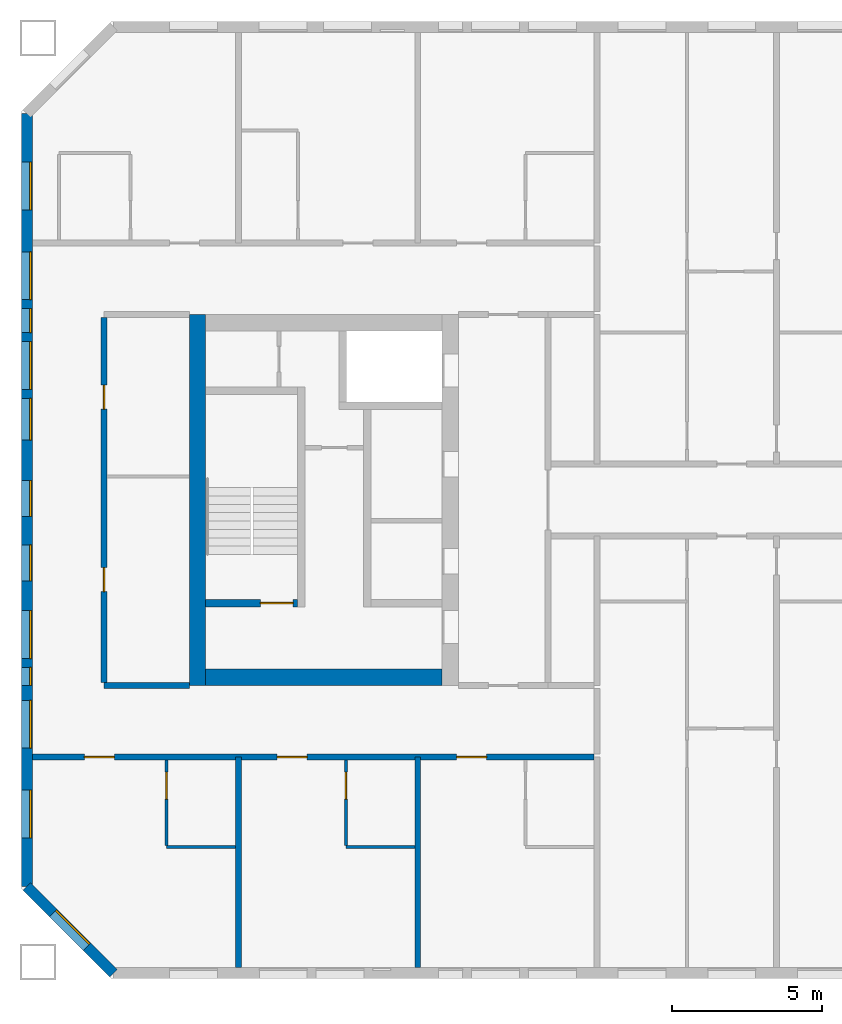
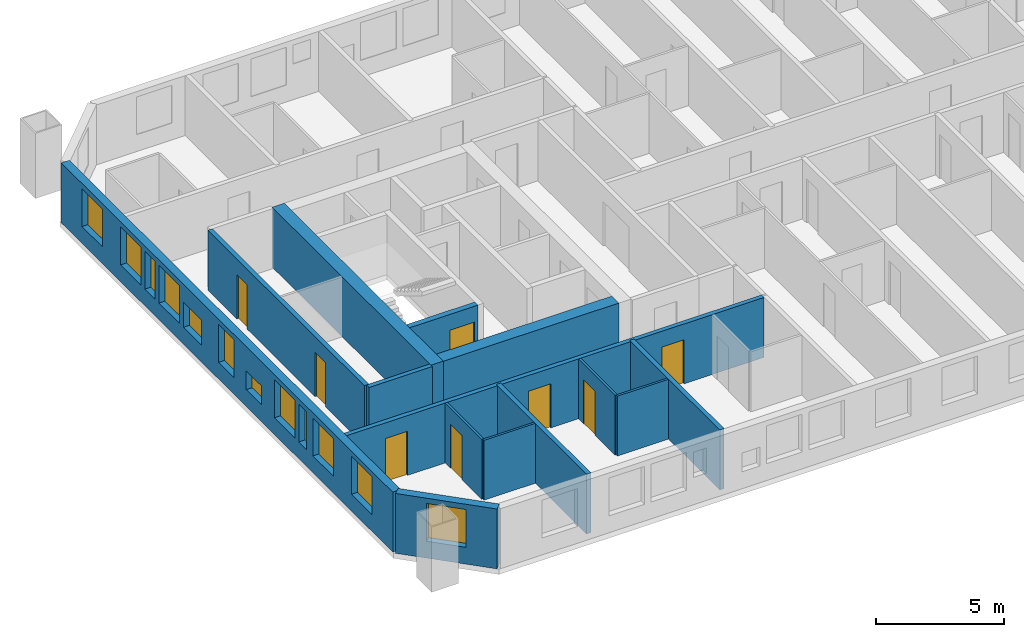
# One storey, part 2 of 16: 14 walls, 12 windows, 8 doors, 20 openings.
"""IFC4 building model written with IfcOpenShell, lengths in metres."""

from ifc_helpers import new_model, si_unit, direction, frame, frame_2d, origin, place, context, subcontext, project, spatial, rectangle, extrude, material, layer, layer_set, type_object, element, fill, save


model = new_model("IFC4")

# Units and contexts
model_context = context("Model", 3, precision=1e-05, world=origin(), true_north=direction((0.0, 1.0)))
body_context = subcontext(model_context, "Body", "Model", "MODEL_VIEW")
ifc_project = project(units=[si_unit("LENGTHUNIT", "METRE"), si_unit("AREAUNIT", "SQUARE_METRE"), si_unit("VOLUMEUNIT", "CUBIC_METRE"), si_unit("PLANEANGLEUNIT", "RADIAN"), si_unit("MASSUNIT", "GRAM", prefix="KILO")], contexts=[model_context])

# Site, building, storey
site_placement = place(None, origin())
site = spatial("IfcSite", under=ifc_project, at=site_placement, CompositionType="ELEMENT")
building_placement = place(site_placement, origin())
building = spatial("IfcBuilding", under=site, at=building_placement, Name="Tuart Gate Housing", CompositionType="ELEMENT")
storey_placement = place(building_placement, frame((0.0, 0.0, 129.89990234375)))
storey = spatial("IfcBuildingStorey", under=building, at=storey_placement, Name="L36", CompositionType="ELEMENT", Elevation=129.89990234375)

# Wall, opening, window
ifc_material_1 = material(Name="Brick", Category="masonry")
ifc_layer_1 = layer(ifc_material_1, 0.360107421875)
ifc_layer_set_1 = layer_set([ifc_layer_1], Name="Brick pier and spandrel wall 360")
wall_type_1 = type_object("IfcWallType", Name="Brick pier and spandrel wall 360", PredefinedType="STANDARD", material=ifc_layer_set_1)
wall_1_placement = place(storey_placement, frame((26.929931640625, 57.07470703125, 0.0), z_axis=(0.0, 0.0, 1.0), x_axis=(0.707106781187, -0.707106781187, 0.0)))
wall_1 = element("IfcWall", 1, at=wall_1_placement, inside=storey, type_object=wall_type_1, Name="External wall A-SW L36", PredefinedType="STANDARD", context=body_context, shape_type="SweptSolid", body=[
    extrude(rectangle(XDim=4.09375, YDim=0.360107421875, at=frame_2d((2.046875, 0.0))), origin(), (0.0, 0.0, 1.0), 2.85009765625),
])
opening_1_placement = place(wall_1_placement, frame((1.2470703125, 0.0, 0.800048828125)))
opening_1 = element("IfcOpeningElement", 2, at=opening_1_placement, cuts=wall_1, Name="Opening W1", PredefinedType="OPENING", context=body_context, shape_type="SweptSolid", body=[
    extrude(rectangle(XDim=1.60009765625, YDim=1.800048828125, at=frame_2d((0.800048828125, 0.89990234375))), frame((0.0, 0.18994140625, 0.0), z_axis=(0.0, -1.0, 0.0), x_axis=(1.0, 0.0, 0.0)), (0.0, 0.0, 1.0), 0.380126953125),
])
ifc_material_2 = material(Name="Aluminium frame with clear glass", Category="aluminium")
window_type_1 = type_object("IfcWindowType", Name="Punched window 1600 x 1800", PartitioningType="SINGLE_PANEL", PredefinedType="WINDOW", material=ifc_material_2)
window_1_placement = place(opening_1_placement, origin())
window_1 = element("IfcWindow", 3, at=window_1_placement, inside=storey, type_object=window_type_1, Name="Window W1", OverallHeight=1.800048828125, OverallWidth=1.60009765625, PartitioningType="SINGLE_PANEL", PredefinedType="WINDOW", context=body_context, shape_type="SweptSolid", body=[
    extrude(rectangle(XDim=1.60009765625, YDim=1.800048828125, at=frame_2d((0.800048828125, 0.89990234375))), frame((0.0, 0.150146484375, 0.0), z_axis=(0.0, -1.0, 0.0), x_axis=(1.0, 0.0, 0.0)), (0.0, 0.0, 1.0), 0.06005859375),
])
fill(opening_1, window_1)

# Wall, openings, windows
wall_2_placement = place(storey_placement, frame((26.929931640625, 82.92529296875, 0.0), z_axis=(0.0, 0.0, 1.0), x_axis=(0.0, -1.0, 0.0)))
wall_2 = element("IfcWall", 4, at=wall_2_placement, inside=storey, type_object=wall_type_1, Name="External wall A-W L36", PredefinedType="STANDARD", context=body_context, shape_type="SweptSolid", body=[
    extrude(rectangle(XDim=25.850830078125, YDim=0.360107421875, at=frame_2d((12.92529296875, 0.0))), origin(), (0.0, 0.0, 1.0), 2.85009765625),
])
opening_2_placement = place(wall_2_placement, frame((1.62548828125, 0.0, 0.800048828125)))
opening_2 = element("IfcOpeningElement", 5, at=opening_2_placement, cuts=wall_2, Name="Opening W1", PredefinedType="OPENING", context=body_context, shape_type="SweptSolid", body=[
    extrude(rectangle(XDim=1.60009765625, YDim=1.800048828125, at=frame_2d((0.800048828125, 0.89990234375))), frame((0.0, 0.18994140625, 0.0), z_axis=(0.0, -1.0, 0.0), x_axis=(1.0, 0.0, 0.0)), (0.0, 0.0, 1.0), 0.380126953125),
])
opening_3_placement = place(wall_2_placement, frame((4.62548828125, 0.0, 0.800048828125)))
opening_3 = element("IfcOpeningElement", 6, at=opening_3_placement, cuts=wall_2, Name="Opening W1", PredefinedType="OPENING", context=body_context, shape_type="SweptSolid", body=[
    extrude(rectangle(XDim=1.60009765625, YDim=1.800048828125, at=frame_2d((0.800048828125, 0.89990234375))), frame((0.0, 0.18994140625, 0.0), z_axis=(0.0, -1.0, 0.0), x_axis=(1.0, 0.0, 0.0)), (0.0, 0.0, 1.0), 0.380126953125),
])
opening_4_placement = place(wall_2_placement, frame((7.62548828125, 0.0, 0.800048828125)))
opening_4 = element("IfcOpeningElement", 7, at=opening_4_placement, cuts=wall_2, Name="Opening W1", PredefinedType="OPENING", context=body_context, shape_type="SweptSolid", body=[
    extrude(rectangle(XDim=1.60009765625, YDim=1.800048828125, at=frame_2d((0.800048828125, 0.89990234375))), frame((0.0, 0.18994140625, 0.0), z_axis=(0.0, -1.0, 0.0), x_axis=(1.0, 0.0, 0.0)), (0.0, 0.0, 1.0), 0.380126953125),
])
opening_5_placement = place(wall_2_placement, frame((6.525390625, 0.0, 0.800048828125)))
opening_5 = element("IfcOpeningElement", 8, at=opening_5_placement, cuts=wall_2, Name="Opening W1D", PredefinedType="OPENING", context=body_context, shape_type="SweptSolid", body=[
    extrude(rectangle(XDim=0.800048828125, YDim=1.800048828125, at=frame_2d((0.39990234375, 0.89990234375))), frame((0.0, 0.18994140625, 0.0), z_axis=(0.0, -1.0, 0.0), x_axis=(1.0, 0.0, 0.0)), (0.0, 0.0, 1.0), 0.380126953125),
])
opening_6_placement = place(wall_2_placement, frame((9.525390625, 0.0, 0.800048828125)))
opening_6 = element("IfcOpeningElement", 9, at=opening_6_placement, cuts=wall_2, Name="Opening W1M", PredefinedType="OPENING", context=body_context, shape_type="SweptSolid", body=[
    extrude(rectangle(XDim=1.39990234375, YDim=1.199951171875, at=frame_2d((0.699951171875, 0.60009765625))), frame((0.0, 0.18994140625, 0.0), z_axis=(0.0, -1.0, 0.0), x_axis=(1.0, 0.0, 0.0)), (0.0, 0.0, 1.0), 0.380126953125),
])
opening_7_placement = place(wall_2_placement, frame((16.62548828125, 0.0, 0.800048828125)))
opening_7 = element("IfcOpeningElement", 10, at=opening_7_placement, cuts=wall_2, Name="Opening W1", PredefinedType="OPENING", context=body_context, shape_type="SweptSolid", body=[
    extrude(rectangle(XDim=1.60009765625, YDim=1.800048828125, at=frame_2d((0.800048828125, 0.89990234375))), frame((0.0, 0.18994140625, 0.0), z_axis=(0.0, -1.0, 0.0), x_axis=(1.0, 0.0, 0.0)), (0.0, 0.0, 1.0), 0.380126953125),
])
opening_8_placement = place(wall_2_placement, frame((19.62548828125, 0.0, 0.800048828125)))
opening_8 = element("IfcOpeningElement", 11, at=opening_8_placement, cuts=wall_2, Name="Opening W1", PredefinedType="OPENING", context=body_context, shape_type="SweptSolid", body=[
    extrude(rectangle(XDim=1.60009765625, YDim=1.800048828125, at=frame_2d((0.800048828125, 0.89990234375))), frame((0.0, 0.18994140625, 0.0), z_axis=(0.0, -1.0, 0.0), x_axis=(1.0, 0.0, 0.0)), (0.0, 0.0, 1.0), 0.380126953125),
])
opening_9_placement = place(wall_2_placement, frame((22.62548828125, 0.0, 0.800048828125)))
opening_9 = element("IfcOpeningElement", 12, at=opening_9_placement, cuts=wall_2, Name="Opening W1", PredefinedType="OPENING", context=body_context, shape_type="SweptSolid", body=[
    extrude(rectangle(XDim=1.60009765625, YDim=1.800048828125, at=frame_2d((0.800048828125, 0.89990234375))), frame((0.0, 0.18994140625, 0.0), z_axis=(0.0, -1.0, 0.0), x_axis=(1.0, 0.0, 0.0)), (0.0, 0.0, 1.0), 0.380126953125),
])
opening_10_placement = place(wall_2_placement, frame((12.275390625, 0.0, 0.800048828125)))
opening_10 = element("IfcOpeningElement", 13, at=opening_10_placement, cuts=wall_2, Name="Opening W1B", PredefinedType="OPENING", context=body_context, shape_type="SweptSolid", body=[
    extrude(rectangle(XDim=1.199951171875, YDim=1.800048828125, at=frame_2d((0.60009765625, 0.89990234375))), frame((0.0, 0.18994140625, 0.0), z_axis=(0.0, -1.0, 0.0), x_axis=(1.0, 0.0, 0.0)), (0.0, 0.0, 1.0), 0.380126953125),
])
opening_11_placement = place(wall_2_placement, frame((14.42529296875, 0.0, 0.800048828125)))
opening_11 = element("IfcOpeningElement", 14, at=opening_11_placement, cuts=wall_2, Name="Opening W1T", PredefinedType="OPENING", context=body_context, shape_type="SweptSolid", body=[
    extrude(rectangle(XDim=1.199951171875, YDim=0.89990234375, at=frame_2d((0.60009765625, 0.449951171875))), frame((0.0, 0.18994140625, 0.0), z_axis=(0.0, -1.0, 0.0), x_axis=(1.0, 0.0, 0.0)), (0.0, 0.0, 1.0), 0.380126953125),
])
opening_12_placement = place(wall_2_placement, frame((18.525390625, 0.0, 0.800048828125)))
opening_12 = element("IfcOpeningElement", 15, at=opening_12_placement, cuts=wall_2, Name="Opening W1E", PredefinedType="OPENING", context=body_context, shape_type="SweptSolid", body=[
    extrude(rectangle(XDim=0.60009765625, YDim=1.800048828125, at=frame_2d((0.300048828125, 0.89990234375))), frame((0.0, 0.18994140625, 0.0), z_axis=(0.0, -1.0, 0.0), x_axis=(1.0, 0.0, 0.0)), (0.0, 0.0, 1.0), 0.380126953125),
])
ifc_material_3 = material(Name="Aluminium frame with clear glass", Category="aluminium")
window_type_2 = type_object("IfcWindowType", Name="Punched window 1200 x 1800", PartitioningType="SINGLE_PANEL", PredefinedType="WINDOW", material=ifc_material_3)
window_2_placement = place(opening_10_placement, origin())
window_2 = element("IfcWindow", 16, at=window_2_placement, inside=storey, type_object=window_type_2, Name="Window W1B", OverallHeight=1.800048828125, OverallWidth=1.199951171875, PartitioningType="SINGLE_PANEL", PredefinedType="WINDOW", context=body_context, shape_type="SweptSolid", body=[
    extrude(rectangle(XDim=1.199951171875, YDim=1.800048828125, at=frame_2d((0.60009765625, 0.89990234375))), frame((0.0, 0.150146484375, 0.0), z_axis=(0.0, -1.0, 0.0), x_axis=(1.0, 0.0, 0.0)), (0.0, 0.0, 1.0), 0.06005859375),
])
fill(opening_10, window_2)
ifc_material_4 = material(Name="Aluminium frame with clear glass", Category="aluminium")
window_type_3 = type_object("IfcWindowType", Name="Punched window 1200 x 900", PartitioningType="SINGLE_PANEL", PredefinedType="WINDOW", material=ifc_material_4)
window_3_placement = place(opening_11_placement, origin())
window_3 = element("IfcWindow", 17, at=window_3_placement, inside=storey, type_object=window_type_3, Name="Window W1T", OverallHeight=0.89990234375, OverallWidth=1.199951171875, PartitioningType="SINGLE_PANEL", PredefinedType="WINDOW", context=body_context, shape_type="SweptSolid", body=[
    extrude(rectangle(XDim=1.199951171875, YDim=0.89990234375, at=frame_2d((0.60009765625, 0.449951171875))), frame((0.0, 0.150146484375, 0.0), z_axis=(0.0, -1.0, 0.0), x_axis=(1.0, 0.0, 0.0)), (0.0, 0.0, 1.0), 0.06005859375),
])
fill(opening_11, window_3)
ifc_material_5 = material(Name="Aluminium frame with clear glass", Category="aluminium")
window_type_4 = type_object("IfcWindowType", Name="Punched window 1400 x 1200", PartitioningType="SINGLE_PANEL", PredefinedType="WINDOW", material=ifc_material_5)
window_4_placement = place(opening_6_placement, origin())
window_4 = element("IfcWindow", 18, at=window_4_placement, inside=storey, type_object=window_type_4, Name="Window W1M", OverallHeight=1.199951171875, OverallWidth=1.39990234375, PartitioningType="SINGLE_PANEL", PredefinedType="WINDOW", context=body_context, shape_type="SweptSolid", body=[
    extrude(rectangle(XDim=1.39990234375, YDim=1.199951171875, at=frame_2d((0.699951171875, 0.60009765625))), frame((0.0, 0.150146484375, 0.0), z_axis=(0.0, -1.0, 0.0), x_axis=(1.0, 0.0, 0.0)), (0.0, 0.0, 1.0), 0.06005859375),
])
fill(opening_6, window_4)
window_5_placement = place(opening_2_placement, origin())
window_5 = element("IfcWindow", 19, at=window_5_placement, inside=storey, type_object=window_type_1, Name="Window W1", OverallHeight=1.800048828125, OverallWidth=1.60009765625, PartitioningType="SINGLE_PANEL", PredefinedType="WINDOW", context=body_context, shape_type="SweptSolid", body=[
    extrude(rectangle(XDim=1.60009765625, YDim=1.800048828125, at=frame_2d((0.800048828125, 0.89990234375))), frame((0.0, 0.150146484375, 0.0), z_axis=(0.0, -1.0, 0.0), x_axis=(1.0, 0.0, 0.0)), (0.0, 0.0, 1.0), 0.06005859375),
])
fill(opening_2, window_5)
window_6_placement = place(opening_3_placement, origin())
window_6 = element("IfcWindow", 20, at=window_6_placement, inside=storey, type_object=window_type_1, Name="Window W1", OverallHeight=1.800048828125, OverallWidth=1.60009765625, PartitioningType="SINGLE_PANEL", PredefinedType="WINDOW", context=body_context, shape_type="SweptSolid", body=[
    extrude(rectangle(XDim=1.60009765625, YDim=1.800048828125, at=frame_2d((0.800048828125, 0.89990234375))), frame((0.0, 0.150146484375, 0.0), z_axis=(0.0, -1.0, 0.0), x_axis=(1.0, 0.0, 0.0)), (0.0, 0.0, 1.0), 0.06005859375),
])
fill(opening_3, window_6)
window_7_placement = place(opening_4_placement, origin())
window_7 = element("IfcWindow", 21, at=window_7_placement, inside=storey, type_object=window_type_1, Name="Window W1", OverallHeight=1.800048828125, OverallWidth=1.60009765625, PartitioningType="SINGLE_PANEL", PredefinedType="WINDOW", context=body_context, shape_type="SweptSolid", body=[
    extrude(rectangle(XDim=1.60009765625, YDim=1.800048828125, at=frame_2d((0.800048828125, 0.89990234375))), frame((0.0, 0.150146484375, 0.0), z_axis=(0.0, -1.0, 0.0), x_axis=(1.0, 0.0, 0.0)), (0.0, 0.0, 1.0), 0.06005859375),
])
fill(opening_4, window_7)
window_8_placement = place(opening_7_placement, origin())
window_8 = element("IfcWindow", 22, at=window_8_placement, inside=storey, type_object=window_type_1, Name="Window W1", OverallHeight=1.800048828125, OverallWidth=1.60009765625, PartitioningType="SINGLE_PANEL", PredefinedType="WINDOW", context=body_context, shape_type="SweptSolid", body=[
    extrude(rectangle(XDim=1.60009765625, YDim=1.800048828125, at=frame_2d((0.800048828125, 0.89990234375))), frame((0.0, 0.150146484375, 0.0), z_axis=(0.0, -1.0, 0.0), x_axis=(1.0, 0.0, 0.0)), (0.0, 0.0, 1.0), 0.06005859375),
])
fill(opening_7, window_8)
window_9_placement = place(opening_8_placement, origin())
window_9 = element("IfcWindow", 23, at=window_9_placement, inside=storey, type_object=window_type_1, Name="Window W1", OverallHeight=1.800048828125, OverallWidth=1.60009765625, PartitioningType="SINGLE_PANEL", PredefinedType="WINDOW", context=body_context, shape_type="SweptSolid", body=[
    extrude(rectangle(XDim=1.60009765625, YDim=1.800048828125, at=frame_2d((0.800048828125, 0.89990234375))), frame((0.0, 0.150146484375, 0.0), z_axis=(0.0, -1.0, 0.0), x_axis=(1.0, 0.0, 0.0)), (0.0, 0.0, 1.0), 0.06005859375),
])
fill(opening_8, window_9)
window_10_placement = place(opening_9_placement, origin())
window_10 = element("IfcWindow", 24, at=window_10_placement, inside=storey, type_object=window_type_1, Name="Window W1", OverallHeight=1.800048828125, OverallWidth=1.60009765625, PartitioningType="SINGLE_PANEL", PredefinedType="WINDOW", context=body_context, shape_type="SweptSolid", body=[
    extrude(rectangle(XDim=1.60009765625, YDim=1.800048828125, at=frame_2d((0.800048828125, 0.89990234375))), frame((0.0, 0.150146484375, 0.0), z_axis=(0.0, -1.0, 0.0), x_axis=(1.0, 0.0, 0.0)), (0.0, 0.0, 1.0), 0.06005859375),
])
fill(opening_9, window_10)
ifc_material_6 = material(Name="Aluminium frame with clear glass", Category="aluminium")
window_type_5 = type_object("IfcWindowType", Name="Punched window 600 x 1800", PartitioningType="SINGLE_PANEL", PredefinedType="WINDOW", material=ifc_material_6)
window_11_placement = place(opening_12_placement, origin())
window_11 = element("IfcWindow", 25, at=window_11_placement, inside=storey, type_object=window_type_5, Name="Window W1E", OverallHeight=1.800048828125, OverallWidth=0.60009765625, PartitioningType="SINGLE_PANEL", PredefinedType="WINDOW", context=body_context, shape_type="SweptSolid", body=[
    extrude(rectangle(XDim=0.60009765625, YDim=1.800048828125, at=frame_2d((0.300048828125, 0.89990234375))), frame((0.0, 0.150146484375, 0.0), z_axis=(0.0, -1.0, 0.0), x_axis=(1.0, 0.0, 0.0)), (0.0, 0.0, 1.0), 0.06005859375),
])
fill(opening_12, window_11)
ifc_material_7 = material(Name="Aluminium frame with clear glass", Category="aluminium")
window_type_6 = type_object("IfcWindowType", Name="Punched window 800 x 1800", PartitioningType="SINGLE_PANEL", PredefinedType="WINDOW", material=ifc_material_7)
window_12_placement = place(opening_5_placement, origin())
window_12 = element("IfcWindow", 26, at=window_12_placement, inside=storey, type_object=window_type_6, Name="Window W1D", OverallHeight=1.800048828125, OverallWidth=0.800048828125, PartitioningType="SINGLE_PANEL", PredefinedType="WINDOW", context=body_context, shape_type="SweptSolid", body=[
    extrude(rectangle(XDim=0.800048828125, YDim=1.800048828125, at=frame_2d((0.39990234375, 0.89990234375))), frame((0.0, 0.150146484375, 0.0), z_axis=(0.0, -1.0, 0.0), x_axis=(1.0, 0.0, 0.0)), (0.0, 0.0, 1.0), 0.06005859375),
])
fill(opening_5, window_12)

# Wall, opening, door
ifc_material_8 = material(Name="Concrete C50", Category="concrete")
ifc_layer_2 = layer(ifc_material_8, 0.25)
ifc_layer_set_2 = layer_set([ifc_layer_2], Name="Core wall 250 C50")
wall_type_2 = type_object("IfcWallType", Name="Core wall 250 C50", PredefinedType="SHEAR", material=ifc_layer_set_2)
wall_3_placement = place(storey_placement, frame((35.985107421875, 66.550048828125, 0.0), z_axis=(0.0, 0.0, 1.0), x_axis=(-1.0, 0.0, 0.0)))
wall_3 = element("IfcWall", 27, at=wall_3_placement, inside=storey, type_object=wall_type_2, Name="Core wall AK.6", PredefinedType="SHEAR", context=body_context, shape_type="SweptSolid", body=[
    extrude(rectangle(XDim=3.0751953125, YDim=0.25, at=frame_2d((1.53759765625, 0.0))), origin(), (0.0, 0.0, 1.0), 2.85009765625),
])
opening_13_placement = place(wall_3_placement, frame((0.14990234375, 0.0, 0.0)))
opening_13 = element("IfcOpeningElement", 28, at=opening_13_placement, cuts=wall_3, Name="Opening D1328", PredefinedType="OPENING", context=body_context, shape_type="SweptSolid", body=[
    extrude(rectangle(XDim=1.10009765625, YDim=2.10009765625, at=frame_2d((0.550048828125, 1.050048828125))), frame((0.0, 0.135009765625, 0.0), z_axis=(0.0, -1.0, 0.0), x_axis=(1.0, 0.0, 0.0)), (0.0, 0.0, 1.0), 0.27001953125),
])
ifc_material_9 = material(Name="Steel fire door", Category="steel")
door_type_1 = type_object("IfcDoorType", Name="Stair door 1100 x 2100 RH", OperationType="SINGLE_SWING_RIGHT", PredefinedType="DOOR", material=ifc_material_9)
door_1_placement = place(opening_13_placement, frame((1.10009765625, 0.0, 0.0), z_axis=(0.0, 0.0, 1.0), x_axis=(-1.0, 0.0, 0.0)))
door_1 = element("IfcDoor", 29, at=door_1_placement, inside=storey, type_object=door_type_1, Name="Stair door AK.SD", OperationType="SINGLE_SWING_RIGHT", OverallHeight=2.10009765625, OverallWidth=1.10009765625, PredefinedType="DOOR", context=body_context, shape_type="SweptSolid", body=[
    extrude(rectangle(XDim=1.10009765625, YDim=2.10009765625, at=frame_2d((0.550048828125, 1.050048828125))), frame((0.0, 0.025146484375, 0.0), z_axis=(0.0, -1.0, 0.0), x_axis=(1.0, 0.0, 0.0)), (0.0, 0.0, 1.0), 0.050048828125),
])
fill(opening_13, door_1)

# Walls
ifc_material_10 = material(Name="Concrete C50", Category="concrete")
ifc_layer_3 = layer(ifc_material_10, 0.550048828125)
ifc_layer_set_3 = layer_set([ifc_layer_3], Name="Core wall 550 C50")
wall_type_3 = type_object("IfcWallType", Name="Core wall 550 C50", PredefinedType="SHEAR", material=ifc_layer_set_3)
wall_4_placement = place(storey_placement, frame((32.635009765625, 76.199951171875, 0.0), z_axis=(0.0, 0.0, 1.0), x_axis=(0.0, -1.0, 0.0)))
element("IfcWall", 30, at=wall_4_placement, inside=storey, type_object=wall_type_3, Name="Core wall AK back", PredefinedType="SHEAR", context=body_context, shape_type="SweptSolid", body=[
    extrude(rectangle(XDim=12.39990234375, YDim=0.550048828125, at=frame_2d((6.199951171875, 0.0))), origin(), (0.0, 0.0, 1.0), 2.85009765625),
])
wall_5_placement = place(storey_placement, frame((40.81005859375, 64.074951171875, 0.0), z_axis=(0.0, 0.0, 1.0), x_axis=(-1.0, 0.0, 0.0)))
element("IfcWall", 31, at=wall_5_placement, inside=storey, type_object=wall_type_3, Name="Core wall AK north", PredefinedType="SHEAR", context=body_context, shape_type="SweptSolid", body=[
    extrude(rectangle(XDim=7.900146484375, YDim=0.550048828125, at=frame_2d((3.9501953125, 0.0))), origin(), (0.0, 0.0, 1.0), 2.85009765625),
])

# Wall, openings, doors
ifc_material_11 = material(Name="Concrete masonry 15 MPa", Category="masonry")
ifc_layer_4 = layer(ifc_material_11, 0.199951171875)
ifc_layer_set_4 = layer_set([ifc_layer_4], Name="Corridor wall masonry 200")
wall_type_4 = type_object("IfcWallType", Name="Corridor wall masonry 200", PredefinedType="PARTITIONING", material=ifc_layer_set_4)
wall_6_placement = place(storey_placement, frame((27.110107421875, 61.39990234375, 0.0), z_axis=(0.0, 0.0, 1.0), x_axis=(1.0, 0.0, 0.0)))
wall_6 = element("IfcWall", 32, at=wall_6_placement, inside=storey, type_object=wall_type_4, Name="Corridor wall masonry 200", PredefinedType="PARTITIONING", context=body_context, shape_type="SweptSolid", body=[
    extrude(rectangle(XDim=18.789794921875, YDim=0.199951171875, at=frame_2d((9.39501953125, 0.0))), origin(), (0.0, 0.0, 1.0), 2.85009765625),
])
opening_14_placement = place(wall_6_placement, frame((14.18994140625, 0.0, 0.0)))
opening_14 = element("IfcOpeningElement", 33, at=opening_14_placement, cuts=wall_6, Name="Opening D1340", PredefinedType="OPENING", context=body_context, shape_type="SweptSolid", body=[
    extrude(rectangle(XDim=1.0, YDim=2.10009765625, at=frame_2d((0.5, 1.050048828125))), frame((0.0, 0.10986328125, 0.0), z_axis=(0.0, -1.0, 0.0), x_axis=(1.0, 0.0, 0.0)), (0.0, 0.0, 1.0), 0.219970703125),
])
opening_15_placement = place(wall_6_placement, frame((8.18994140625, 0.0, 0.0)))
opening_15 = element("IfcOpeningElement", 34, at=opening_15_placement, cuts=wall_6, Name="Opening D1341", PredefinedType="OPENING", context=body_context, shape_type="SweptSolid", body=[
    extrude(rectangle(XDim=1.0, YDim=2.10009765625, at=frame_2d((0.5, 1.050048828125))), frame((0.0, 0.10986328125, 0.0), z_axis=(0.0, -1.0, 0.0), x_axis=(1.0, 0.0, 0.0)), (0.0, 0.0, 1.0), 0.219970703125),
])
opening_16_placement = place(wall_6_placement, frame((1.7451171875, 0.0, 0.0)))
opening_16 = element("IfcOpeningElement", 35, at=opening_16_placement, cuts=wall_6, Name="Opening D1342", PredefinedType="OPENING", context=body_context, shape_type="SweptSolid", body=[
    extrude(rectangle(XDim=1.0, YDim=2.10009765625, at=frame_2d((0.5, 1.050048828125))), frame((0.0, 0.10986328125, 0.0), z_axis=(0.0, -1.0, 0.0), x_axis=(1.0, 0.0, 0.0)), (0.0, 0.0, 1.0), 0.219970703125),
])
ifc_material_12 = material(Name="Timber door leaf in steel frame", Category="steel")
door_type_2 = type_object("IfcDoorType", Name="Flat entrance door 1000 RH", OperationType="SINGLE_SWING_RIGHT", PredefinedType="DOOR", material=ifc_material_12)
door_2_placement = place(opening_14_placement, frame((1.0, 0.0, 0.0), z_axis=(0.0, 0.0, 1.0), x_axis=(-1.0, 0.0, 0.0)))
door_2 = element("IfcDoor", 36, at=door_2_placement, inside=storey, type_object=door_type_2, Name="Flat entrance door", OperationType="SINGLE_SWING_RIGHT", OverallHeight=2.10009765625, OverallWidth=1.0, PredefinedType="DOOR", context=body_context, shape_type="SweptSolid", body=[
    extrude(rectangle(XDim=1.0, YDim=2.10009765625, at=frame_2d((0.5, 1.050048828125))), frame((0.0, 0.025146484375, 0.0), z_axis=(0.0, -1.0, 0.0), x_axis=(1.0, 0.0, 0.0)), (0.0, 0.0, 1.0), 0.050048828125),
])
fill(opening_14, door_2)
door_3_placement = place(opening_15_placement, frame((1.0, 0.0, 0.0), z_axis=(0.0, 0.0, 1.0), x_axis=(-1.0, 0.0, 0.0)))
door_3 = element("IfcDoor", 37, at=door_3_placement, inside=storey, type_object=door_type_2, Name="Flat entrance door", OperationType="SINGLE_SWING_RIGHT", OverallHeight=2.10009765625, OverallWidth=1.0, PredefinedType="DOOR", context=body_context, shape_type="SweptSolid", body=[
    extrude(rectangle(XDim=1.0, YDim=2.10009765625, at=frame_2d((0.5, 1.050048828125))), frame((0.0, 0.025146484375, 0.0), z_axis=(0.0, -1.0, 0.0), x_axis=(1.0, 0.0, 0.0)), (0.0, 0.0, 1.0), 0.050048828125),
])
fill(opening_15, door_3)
door_4_placement = place(opening_16_placement, frame((1.0, 0.0, 0.0), z_axis=(0.0, 0.0, 1.0), x_axis=(-1.0, 0.0, 0.0)))
door_4 = element("IfcDoor", 38, at=door_4_placement, inside=storey, type_object=door_type_2, Name="Flat entrance door", OperationType="SINGLE_SWING_RIGHT", OverallHeight=2.10009765625, OverallWidth=1.0, PredefinedType="DOOR", context=body_context, shape_type="SweptSolid", body=[
    extrude(rectangle(XDim=1.0, YDim=2.10009765625, at=frame_2d((0.5, 1.050048828125))), frame((0.0, 0.025146484375, 0.0), z_axis=(0.0, -1.0, 0.0), x_axis=(1.0, 0.0, 0.0)), (0.0, 0.0, 1.0), 0.050048828125),
])
fill(opening_16, door_4)

# Wall
wall_7_placement = place(storey_placement, frame((29.510009765625, 63.800048828125, 0.0), z_axis=(0.0, 0.0, 1.0), x_axis=(1.0, 0.0, 0.0)))
element("IfcWall", 39, at=wall_7_placement, inside=storey, type_object=wall_type_4, Name="Corridor wall masonry 200", PredefinedType="PARTITIONING", context=body_context, shape_type="SweptSolid", body=[
    extrude(rectangle(XDim=2.85009765625, YDim=0.199951171875, at=frame_2d((1.425048828125, 0.0))), origin(), (0.0, 0.0, 1.0), 2.85009765625),
])

# Wall, openings, doors
wall_8_placement = place(storey_placement, frame((29.510009765625, 63.89990234375, 0.0), z_axis=(0.0, 0.0, 1.0), x_axis=(0.0, 1.0, 0.0)))
wall_8 = element("IfcWall", 40, at=wall_8_placement, inside=storey, type_object=wall_type_4, Name="Corridor wall masonry 200", PredefinedType="PARTITIONING", context=body_context, shape_type="SweptSolid", body=[
    extrude(rectangle(XDim=12.2001953125, YDim=0.199951171875, at=frame_2d((6.10009765625, 0.0))), origin(), (0.0, 0.0, 1.0), 2.85009765625),
])
opening_17_placement = place(wall_8_placement, frame((3.0400390625, 0.0, 0.0)))
opening_17 = element("IfcOpeningElement", 41, at=opening_17_placement, cuts=wall_8, Name="Opening D1317", PredefinedType="OPENING", context=body_context, shape_type="SweptSolid", body=[
    extrude(rectangle(XDim=0.800048828125, YDim=2.10009765625, at=frame_2d((0.39990234375, 1.050048828125))), frame((0.0, 0.10986328125, 0.0), z_axis=(0.0, -1.0, 0.0), x_axis=(1.0, 0.0, 0.0)), (0.0, 0.0, 1.0), 0.219970703125),
])
opening_18_placement = place(wall_8_placement, frame((9.139892578125, 0.0, 0.0)))
opening_18 = element("IfcOpeningElement", 42, at=opening_18_placement, cuts=wall_8, Name="Opening D1318", PredefinedType="OPENING", context=body_context, shape_type="SweptSolid", body=[
    extrude(rectangle(XDim=0.800048828125, YDim=2.10009765625, at=frame_2d((0.39990234375, 1.050048828125))), frame((0.0, 0.10986328125, 0.0), z_axis=(0.0, -1.0, 0.0), x_axis=(1.0, 0.0, 0.0)), (0.0, 0.0, 1.0), 0.219970703125),
])
ifc_material_13 = material(Name="Timber door leaf in steel frame", Category="steel")
door_type_3 = type_object("IfcDoorType", Name="Store door 800", OperationType="SINGLE_SWING_LEFT", PredefinedType="DOOR", material=ifc_material_13)
door_5_placement = place(opening_17_placement, frame((0.800048828125, 0.0, 0.0), z_axis=(0.0, 0.0, 1.0), x_axis=(-1.0, 0.0, 0.0)))
door_5 = element("IfcDoor", 43, at=door_5_placement, inside=storey, type_object=door_type_3, Name="Store door", OperationType="SINGLE_SWING_LEFT", OverallHeight=2.10009765625, OverallWidth=0.800048828125, PredefinedType="DOOR", context=body_context, shape_type="SweptSolid", body=[
    extrude(rectangle(XDim=0.800048828125, YDim=2.10009765625, at=frame_2d((0.400146484375, 1.050048828125))), frame((0.0, 0.025146484375, 0.0), z_axis=(0.0, -1.0, 0.0), x_axis=(1.0, 0.0, 0.0)), (0.0, 0.0, 1.0), 0.050048828125),
])
fill(opening_17, door_5)
ifc_material_14 = material(Name="Timber door leaf in steel frame", Category="steel")
door_type_4 = type_object("IfcDoorType", Name="Store door 800 RH", OperationType="SINGLE_SWING_RIGHT", PredefinedType="DOOR", material=ifc_material_14)
door_6_placement = place(opening_18_placement, frame((0.800048828125, 0.0, 0.0), z_axis=(0.0, 0.0, 1.0), x_axis=(-1.0, 0.0, 0.0)))
door_6 = element("IfcDoor", 44, at=door_6_placement, inside=storey, type_object=door_type_4, Name="Store door", OperationType="SINGLE_SWING_RIGHT", OverallHeight=2.10009765625, OverallWidth=0.800048828125, PredefinedType="DOOR", context=body_context, shape_type="SweptSolid", body=[
    extrude(rectangle(XDim=0.800048828125, YDim=2.10009765625, at=frame_2d((0.400146484375, 1.050048828125))), frame((0.0, 0.025146484375, 0.0), z_axis=(0.0, -1.0, 0.0), x_axis=(1.0, 0.0, 0.0)), (0.0, 0.0, 1.0), 0.050048828125),
])
fill(opening_18, door_6)

# Walls
ifc_material_15 = material(Name="Gypsum board on steel studs", Category="steel")
ifc_layer_5 = layer(ifc_material_15, 0.10009765625)
ifc_layer_set_5 = layer_set([ifc_layer_5], Name="Partition 100")
wall_type_5 = type_object("IfcWallType", Name="Partition 100", PredefinedType="PARTITIONING", material=ifc_layer_set_5)
for number, where, z_axis, x_axis, name in (
    (45, (31.60009765625, 58.39990234375, 0.0), (0.0, 0.0, 1.0), (1.0, 0.0, 0.0), "Partition 100"),
    (46, (37.60009765625, 58.39990234375, 0.0), (0.0, 0.0, 1.0), (1.0, 0.0, 0.0), "Partition 100"),
):
    element("IfcWall", number, at=place(storey_placement, frame(where, z_axis=z_axis, x_axis=x_axis)), inside=storey, type_object=wall_type_5, Name=name, PredefinedType="PARTITIONING", context=body_context, shape_type="SweptSolid", body=[
        extrude(rectangle(XDim=2.2998046875, YDim=0.10009765625, at=frame_2d((1.14990234375, 0.0))), origin(), (0.0, 0.0, 1.0), 2.85009765625),
    ])

# Wall, opening, door
wall_9_placement = place(storey_placement, frame((31.60009765625, 58.449951171875, 0.0), z_axis=(0.0, 0.0, 1.0), x_axis=(0.0, 1.0, 0.0)))
wall_9 = element("IfcWall", 47, at=wall_9_placement, inside=storey, type_object=wall_type_5, Name="Partition 100", PredefinedType="PARTITIONING", context=body_context, shape_type="SweptSolid", body=[
    extrude(rectangle(XDim=2.85009765625, YDim=0.10009765625, at=frame_2d((1.425048828125, 0.0))), origin(), (0.0, 0.0, 1.0), 2.85009765625),
])
opening_19_placement = place(wall_9_placement, frame((1.550048828125, 0.0, 0.0)))
opening_19 = element("IfcOpeningElement", 48, at=opening_19_placement, cuts=wall_9, Name="Opening D1345", PredefinedType="OPENING", context=body_context, shape_type="SweptSolid", body=[
    extrude(rectangle(XDim=0.89990234375, YDim=2.10009765625, at=frame_2d((0.449951171875, 1.050048828125))), frame((0.0, 0.06005859375, 0.0), z_axis=(0.0, -1.0, 0.0), x_axis=(1.0, 0.0, 0.0)), (0.0, 0.0, 1.0), 0.1201171875),
])
ifc_material_16 = material(Name="Timber door leaf in steel frame", Category="steel")
door_type_5 = type_object("IfcDoorType", Name="Bathroom door 900", OperationType="SINGLE_SWING_LEFT", PredefinedType="DOOR", material=ifc_material_16)
door_7_placement = place(opening_19_placement, frame((0.89990234375, 0.0, 0.0), z_axis=(0.0, 0.0, 1.0), x_axis=(-1.0, 0.0, 0.0)))
door_7 = element("IfcDoor", 49, at=door_7_placement, inside=storey, type_object=door_type_5, Name="Bathroom door", OperationType="SINGLE_SWING_LEFT", OverallHeight=2.10009765625, OverallWidth=0.89990234375, PredefinedType="DOOR", context=body_context, shape_type="SweptSolid", body=[
    extrude(rectangle(XDim=0.89990234375, YDim=2.10009765625, at=frame_2d((0.449951171875, 1.050048828125))), frame((0.0, 0.025146484375, 0.0), z_axis=(0.0, -1.0, 0.0), x_axis=(1.0, 0.0, 0.0)), (0.0, 0.0, 1.0), 0.050048828125),
])
fill(opening_19, door_7)

wall_10_placement = place(storey_placement, frame((37.60009765625, 58.449951171875, 0.0), z_axis=(0.0, 0.0, 1.0), x_axis=(0.0, 1.0, 0.0)))
wall_10 = element("IfcWall", 50, at=wall_10_placement, inside=storey, type_object=wall_type_5, Name="Partition 100", PredefinedType="PARTITIONING", context=body_context, shape_type="SweptSolid", body=[
    extrude(rectangle(XDim=2.85009765625, YDim=0.10009765625, at=frame_2d((1.425048828125, 0.0))), origin(), (0.0, 0.0, 1.0), 2.85009765625),
])
opening_20_placement = place(wall_10_placement, frame((1.550048828125, 0.0, 0.0)))
opening_20 = element("IfcOpeningElement", 51, at=opening_20_placement, cuts=wall_10, Name="Opening D1346", PredefinedType="OPENING", context=body_context, shape_type="SweptSolid", body=[
    extrude(rectangle(XDim=0.89990234375, YDim=2.10009765625, at=frame_2d((0.449951171875, 1.050048828125))), frame((0.0, 0.06005859375, 0.0), z_axis=(0.0, -1.0, 0.0), x_axis=(1.0, 0.0, 0.0)), (0.0, 0.0, 1.0), 0.1201171875),
])
door_8_placement = place(opening_20_placement, frame((0.89990234375, 0.0, 0.0), z_axis=(0.0, 0.0, 1.0), x_axis=(-1.0, 0.0, 0.0)))
door_8 = element("IfcDoor", 52, at=door_8_placement, inside=storey, type_object=door_type_5, Name="Bathroom door", OperationType="SINGLE_SWING_LEFT", OverallHeight=2.10009765625, OverallWidth=0.89990234375, PredefinedType="DOOR", context=body_context, shape_type="SweptSolid", body=[
    extrude(rectangle(XDim=0.89990234375, YDim=2.10009765625, at=frame_2d((0.449951171875, 1.050048828125))), frame((0.0, 0.025146484375, 0.0), z_axis=(0.0, -1.0, 0.0), x_axis=(1.0, 0.0, 0.0)), (0.0, 0.0, 1.0), 0.050048828125),
])
fill(opening_20, door_8)

# Walls
ifc_material_17 = material(Name="Concrete C40", Category="concrete")
ifc_layer_6 = layer(ifc_material_17, 0.199951171875)
ifc_layer_set_6 = layer_set([ifc_layer_6], Name="Party wall concrete C40 200")
wall_type_6 = type_object("IfcWallType", Name="Party wall concrete C40 200", PredefinedType="SOLIDWALL", material=ifc_layer_set_6)
for number, where, z_axis, x_axis, name in (
    (53, (34.0, 54.360107421875, 0.0), (0.0, 0.0, 1.0), (0.0, 1.0, 0.0), "Party wall concrete C40 200"),
    (54, (40.0, 54.360107421875, 0.0), (0.0, 0.0, 1.0), (0.0, 1.0, 0.0), "Party wall concrete C40 200"),
):
    element("IfcWall", number, at=place(storey_placement, frame(where, z_axis=z_axis, x_axis=x_axis)), inside=storey, type_object=wall_type_6, Name=name, PredefinedType="SOLIDWALL", context=body_context, shape_type="SweptSolid", body=[
        extrude(rectangle(XDim=7.039794921875, YDim=0.199951171875, at=frame_2d((3.52001953125, 0.0))), origin(), (0.0, 0.0, 1.0), 2.85009765625),
    ])

save(model, "model.ifc")
